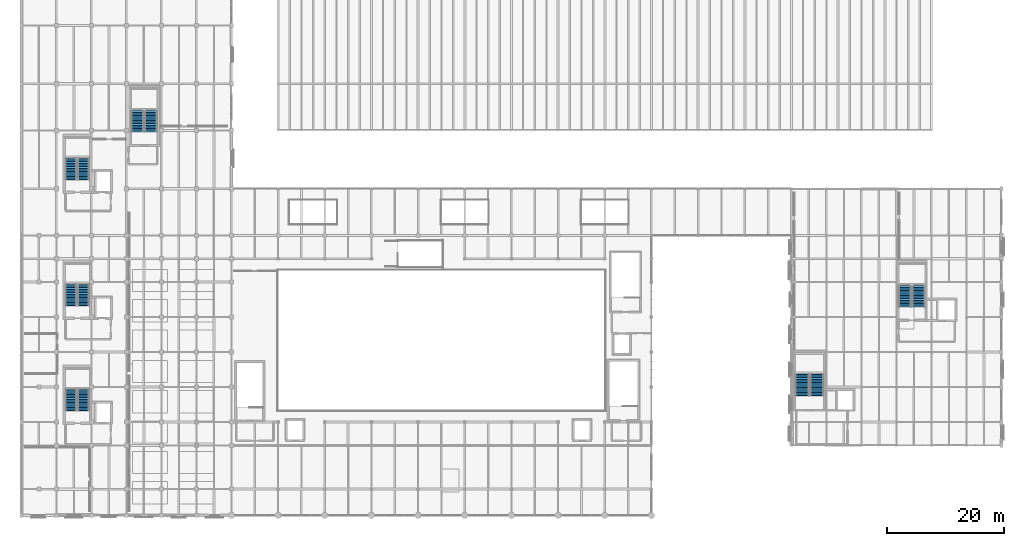
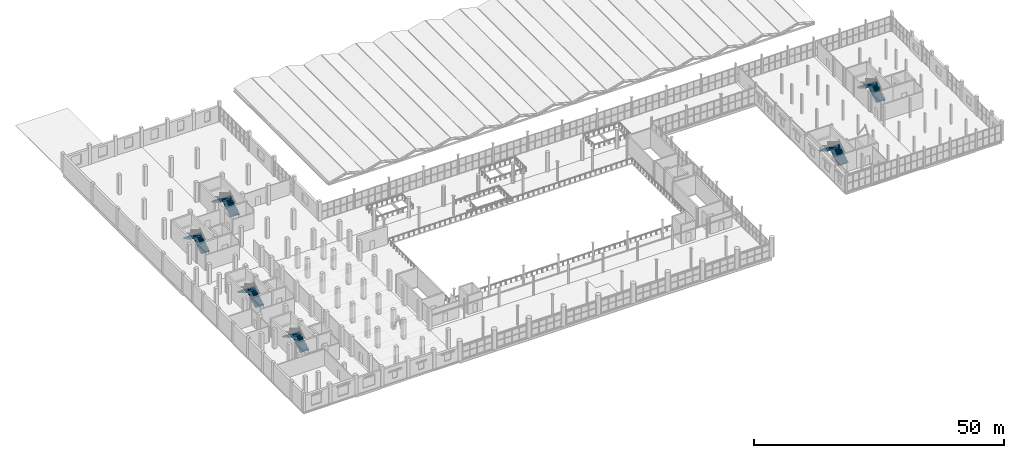
# One storey, part 104 of 114: 12 stair flights, 6 elements without a shape of their own.
"""IFC4 building model written with IfcOpenShell, lengths in metres."""

from ifc_helpers import new_model, si_unit, direction, frame, origin, place, context, subcontext, project, spatial, polyline, outline, extrude, material, type_object, element, aggregate, save


model = new_model("IFC4")

# Units and contexts
model_context = context("Model", 3, precision=1e-05, world=origin(), true_north=direction((0.0, 1.0)))
body_context = subcontext(model_context, "Body", "Model", "MODEL_VIEW")
ifc_project = project(units=[si_unit("LENGTHUNIT", "METRE"), si_unit("AREAUNIT", "SQUARE_METRE"), si_unit("VOLUMEUNIT", "CUBIC_METRE"), si_unit("PLANEANGLEUNIT", "RADIAN"), si_unit("MASSUNIT", "GRAM", prefix="KILO")], contexts=[model_context])

# Site, building, storey
site_placement = place(None, origin())
site = spatial("IfcSite", under=ifc_project, at=site_placement, CompositionType="ELEMENT")
building_placement = place(site_placement, origin())
building = spatial("IfcBuilding", under=site, at=building_placement, Name="Verrall Gate Interchange", CompositionType="ELEMENT")
storey_placement = place(building_placement, frame((0.0, 0.0, 6.60009765625)))
storey = spatial("IfcBuildingStorey", under=building, at=storey_placement, Name="L02", CompositionType="ELEMENT", Elevation=6.60009765625)

# Stair, stair flights
ifc_material_1 = material(Name="Concrete CSA A23.1 40 MPa (Class N)", Category="concrete")
stair_type_1 = type_object("IfcStairType", Name="ST-T02 Straight-Flight Return Exit Stair W1950 H4800", PredefinedType="STRAIGHT_RUN_STAIR", material=ifc_material_1)
stair_1_placement = place(storey_placement, origin())
stair_1 = element("IfcStair", 1, at=stair_1_placement, inside=storey, type_object=stair_type_1, Name="L02 ST-01", PredefinedType="STRAIGHT_RUN_STAIR")
ifc_material_2 = material(Name="Concrete CSA A23.1 40 MPa (Class N)", Category="concrete")
stair_flight_type_1 = type_object("IfcStairFlightType", Name="SF-T02 Concrete Stair Flight W1950 R171 N28", PredefinedType="STRAIGHT", material=ifc_material_2)
stair_flight_1_placement = place(storey_placement, frame((10.675048828125, 17.949951171875, 0.0), z_axis=(0.0, 0.0, 1.0), x_axis=(0.0, 1.0, 0.0)))
stair_flight_1 = element("IfcStairFlight", 2, at=stair_flight_1_placement, type_object=stair_flight_type_1, Name="ST-01 flight 1", NumberOfRisers=14, NumberOfTreads=13, PredefinedType="STRAIGHT", RiserHeight=0.171428571, TreadLength=0.28, context=body_context, shape_type="SweptSolid", body=[
    extrude(outline(polyline([(-0.034912109375, -0.02001953125), (-0.034912109375, 0.0), (0.0, 0.0), (0.0, 0.17138671875), (0.280029296875, 0.17138671875), (0.280029296875, 0.3427734375), (0.56005859375, 0.3427734375), (0.56005859375, 0.514404296875), (0.840087890625, 0.514404296875), (0.840087890625, 0.685791015625), (1.1201171875, 0.685791015625), (1.1201171875, 0.857177734375), (1.39990234375, 0.857177734375), (1.39990234375, 1.028564453125), (1.679931640625, 1.028564453125), (1.679931640625, 1.199951171875), (1.9599609375, 1.199951171875), (1.9599609375, 1.371337890625), (2.239990234375, 1.371337890625), (2.239990234375, 1.54296875), (2.52001953125, 1.54296875), (2.52001953125, 1.71435546875), (2.800048828125, 1.71435546875), (2.800048828125, 1.8857421875), (3.080078125, 1.8857421875), (3.080078125, 2.05712890625), (3.360107421875, 2.05712890625), (3.360107421875, 2.228515625), (3.639892578125, 2.228515625), (3.639892578125, 2.39990234375), (3.675048828125, 2.39990234375), (3.675048828125, 1.994140625), (0.350341796875, -0.02001953125), (-0.034912109375, -0.02001953125)])), frame((0.0, 0.97509765625, 0.0), z_axis=(0.0, -1.0, 0.0), x_axis=(1.0, 0.0, 0.0)), (0.0, 0.0, 1.0), 1.949951171875),
])
stair_flight_2_placement = place(storey_placement, frame((8.52490234375, 21.590087890625, 2.39990234375), z_axis=(0.0, 0.0, 1.0), x_axis=(0.0, -1.0, 0.0)))
stair_flight_2 = element("IfcStairFlight", 3, at=stair_flight_2_placement, type_object=stair_flight_type_1, Name="ST-01 flight 2", NumberOfRisers=14, NumberOfTreads=13, PredefinedType="STRAIGHT", RiserHeight=0.171428571, TreadLength=0.28, context=body_context, shape_type="SweptSolid", body=[
    extrude(outline(polyline([(-0.034912109375, -0.02001953125), (-0.034912109375, 0.0), (0.0, 0.0), (0.0, 0.17138671875), (0.280029296875, 0.17138671875), (0.280029296875, 0.3427734375), (0.56005859375, 0.3427734375), (0.56005859375, 0.514404296875), (0.840087890625, 0.514404296875), (0.840087890625, 0.685791015625), (1.1201171875, 0.685791015625), (1.1201171875, 0.857177734375), (1.39990234375, 0.857177734375), (1.39990234375, 1.028564453125), (1.679931640625, 1.028564453125), (1.679931640625, 1.199951171875), (1.9599609375, 1.199951171875), (1.9599609375, 1.371337890625), (2.239990234375, 1.371337890625), (2.239990234375, 1.54296875), (2.52001953125, 1.54296875), (2.52001953125, 1.71435546875), (2.800048828125, 1.71435546875), (2.800048828125, 1.8857421875), (3.080078125, 1.8857421875), (3.080078125, 2.05712890625), (3.360107421875, 2.05712890625), (3.360107421875, 2.228515625), (3.639892578125, 2.228515625), (3.639892578125, 2.39990234375), (3.675048828125, 2.39990234375), (3.675048828125, 1.994140625), (0.350341796875, -0.02001953125), (-0.034912109375, -0.02001953125)])), frame((0.0, 0.97509765625, 0.0), z_axis=(0.0, -1.0, 0.0), x_axis=(1.0, 0.0, 0.0)), (0.0, 0.0, 1.0), 1.949951171875),
])
aggregate(stair_1, [stair_flight_1, stair_flight_2])

stair_2_placement = place(storey_placement, origin())
stair_2 = element("IfcStair", 4, at=stair_2_placement, inside=storey, type_object=stair_type_1, Name="L02 ST-02", PredefinedType="STRAIGHT_RUN_STAIR")
stair_flight_3_placement = place(storey_placement, frame((10.675048828125, 35.949951171875, 0.0), z_axis=(0.0, 0.0, 1.0), x_axis=(0.0, 1.0, 0.0)))
stair_flight_3 = element("IfcStairFlight", 5, at=stair_flight_3_placement, type_object=stair_flight_type_1, Name="ST-02 flight 1", NumberOfRisers=14, NumberOfTreads=13, PredefinedType="STRAIGHT", RiserHeight=0.171428571, TreadLength=0.28, context=body_context, shape_type="SweptSolid", body=[
    extrude(outline(polyline([(-0.034912109375, -0.02001953125), (-0.034912109375, 0.0), (0.0, 0.0), (0.0, 0.17138671875), (0.280029296875, 0.17138671875), (0.280029296875, 0.3427734375), (0.56005859375, 0.3427734375), (0.56005859375, 0.514404296875), (0.840087890625, 0.514404296875), (0.840087890625, 0.685791015625), (1.1201171875, 0.685791015625), (1.1201171875, 0.857177734375), (1.39990234375, 0.857177734375), (1.39990234375, 1.028564453125), (1.679931640625, 1.028564453125), (1.679931640625, 1.199951171875), (1.9599609375, 1.199951171875), (1.9599609375, 1.371337890625), (2.239990234375, 1.371337890625), (2.239990234375, 1.54296875), (2.52001953125, 1.54296875), (2.52001953125, 1.71435546875), (2.800048828125, 1.71435546875), (2.800048828125, 1.8857421875), (3.080078125, 1.8857421875), (3.080078125, 2.05712890625), (3.360107421875, 2.05712890625), (3.360107421875, 2.228515625), (3.639892578125, 2.228515625), (3.639892578125, 2.39990234375), (3.675048828125, 2.39990234375), (3.675048828125, 1.994140625), (0.350341796875, -0.02001953125), (-0.034912109375, -0.02001953125)])), frame((0.0, 0.97509765625, 0.0), z_axis=(0.0, -1.0, 0.0), x_axis=(1.0, 0.0, 0.0)), (0.0, 0.0, 1.0), 1.949951171875),
])
stair_flight_4_placement = place(storey_placement, frame((8.52490234375, 39.590087890625, 2.39990234375), z_axis=(0.0, 0.0, 1.0), x_axis=(0.0, -1.0, 0.0)))
stair_flight_4 = element("IfcStairFlight", 6, at=stair_flight_4_placement, type_object=stair_flight_type_1, Name="ST-02 flight 2", NumberOfRisers=14, NumberOfTreads=13, PredefinedType="STRAIGHT", RiserHeight=0.171428571, TreadLength=0.28, context=body_context, shape_type="SweptSolid", body=[
    extrude(outline(polyline([(-0.034912109375, -0.02001953125), (-0.034912109375, 0.0), (0.0, 0.0), (0.0, 0.17138671875), (0.280029296875, 0.17138671875), (0.280029296875, 0.3427734375), (0.56005859375, 0.3427734375), (0.56005859375, 0.514404296875), (0.840087890625, 0.514404296875), (0.840087890625, 0.685791015625), (1.1201171875, 0.685791015625), (1.1201171875, 0.857177734375), (1.39990234375, 0.857177734375), (1.39990234375, 1.028564453125), (1.679931640625, 1.028564453125), (1.679931640625, 1.199951171875), (1.9599609375, 1.199951171875), (1.9599609375, 1.371337890625), (2.239990234375, 1.371337890625), (2.239990234375, 1.54296875), (2.52001953125, 1.54296875), (2.52001953125, 1.71435546875), (2.800048828125, 1.71435546875), (2.800048828125, 1.8857421875), (3.080078125, 1.8857421875), (3.080078125, 2.05712890625), (3.360107421875, 2.05712890625), (3.360107421875, 2.228515625), (3.639892578125, 2.228515625), (3.639892578125, 2.39990234375), (3.675048828125, 2.39990234375), (3.675048828125, 1.994140625), (0.350341796875, -0.02001953125), (-0.034912109375, -0.02001953125)])), frame((0.0, 0.97509765625, 0.0), z_axis=(0.0, -1.0, 0.0), x_axis=(1.0, 0.0, 0.0)), (0.0, 0.0, 1.0), 1.949951171875),
])
aggregate(stair_2, [stair_flight_3, stair_flight_4])

stair_3_placement = place(storey_placement, origin())
stair_3 = element("IfcStair", 7, at=stair_3_placement, inside=storey, type_object=stair_type_1, Name="L02 ST-03", PredefinedType="STRAIGHT_RUN_STAIR")
stair_flight_5_placement = place(storey_placement, frame((10.675048828125, 57.550048828125, 0.0), z_axis=(0.0, 0.0, 1.0), x_axis=(0.0, 1.0, 0.0)))
stair_flight_5 = element("IfcStairFlight", 8, at=stair_flight_5_placement, type_object=stair_flight_type_1, Name="ST-03 flight 1", NumberOfRisers=14, NumberOfTreads=13, PredefinedType="STRAIGHT", RiserHeight=0.171428571, TreadLength=0.28, context=body_context, shape_type="SweptSolid", body=[
    extrude(outline(polyline([(-0.034912109375, -0.02001953125), (-0.034912109375, 0.0), (0.0, 0.0), (0.0, 0.17138671875), (0.280029296875, 0.17138671875), (0.280029296875, 0.3427734375), (0.56005859375, 0.3427734375), (0.56005859375, 0.514404296875), (0.840087890625, 0.514404296875), (0.840087890625, 0.685791015625), (1.1201171875, 0.685791015625), (1.1201171875, 0.857177734375), (1.39990234375, 0.857177734375), (1.39990234375, 1.028564453125), (1.679931640625, 1.028564453125), (1.679931640625, 1.199951171875), (1.9599609375, 1.199951171875), (1.9599609375, 1.371337890625), (2.239990234375, 1.371337890625), (2.239990234375, 1.54296875), (2.52001953125, 1.54296875), (2.52001953125, 1.71435546875), (2.800048828125, 1.71435546875), (2.800048828125, 1.8857421875), (3.080078125, 1.8857421875), (3.080078125, 2.05712890625), (3.360107421875, 2.05712890625), (3.360107421875, 2.228515625), (3.639892578125, 2.228515625), (3.639892578125, 2.39990234375), (3.675048828125, 2.39990234375), (3.675048828125, 1.994140625), (0.350341796875, -0.02001953125), (-0.034912109375, -0.02001953125)])), frame((0.0, 0.97509765625, 0.0), z_axis=(0.0, -1.0, 0.0), x_axis=(1.0, 0.0, 0.0)), (0.0, 0.0, 1.0), 1.949951171875),
])
stair_flight_6_placement = place(storey_placement, frame((8.52490234375, 61.18994140625, 2.39990234375), z_axis=(0.0, 0.0, 1.0), x_axis=(0.0, -1.0, 0.0)))
stair_flight_6 = element("IfcStairFlight", 9, at=stair_flight_6_placement, type_object=stair_flight_type_1, Name="ST-03 flight 2", NumberOfRisers=14, NumberOfTreads=13, PredefinedType="STRAIGHT", RiserHeight=0.171428571, TreadLength=0.28, context=body_context, shape_type="SweptSolid", body=[
    extrude(outline(polyline([(-0.034912109375, -0.02001953125), (-0.034912109375, 0.0), (0.0, 0.0), (0.0, 0.17138671875), (0.280029296875, 0.17138671875), (0.280029296875, 0.3427734375), (0.56005859375, 0.3427734375), (0.56005859375, 0.514404296875), (0.840087890625, 0.514404296875), (0.840087890625, 0.685791015625), (1.1201171875, 0.685791015625), (1.1201171875, 0.857177734375), (1.39990234375, 0.857177734375), (1.39990234375, 1.028564453125), (1.679931640625, 1.028564453125), (1.679931640625, 1.199951171875), (1.9599609375, 1.199951171875), (1.9599609375, 1.371337890625), (2.239990234375, 1.371337890625), (2.239990234375, 1.54296875), (2.52001953125, 1.54296875), (2.52001953125, 1.71435546875), (2.800048828125, 1.71435546875), (2.800048828125, 1.8857421875), (3.080078125, 1.8857421875), (3.080078125, 2.05712890625), (3.360107421875, 2.05712890625), (3.360107421875, 2.228515625), (3.639892578125, 2.228515625), (3.639892578125, 2.39990234375), (3.675048828125, 2.39990234375), (3.675048828125, 1.994140625), (0.350341796875, -0.02001953125), (-0.034912109375, -0.02001953125)])), frame((0.0, 0.97509765625, 0.0), z_axis=(0.0, -1.0, 0.0), x_axis=(1.0, 0.0, 0.0)), (0.0, 0.0, 1.0), 1.949951171875),
])
aggregate(stair_3, [stair_flight_5, stair_flight_6])

ifc_material_3 = material(Name="Concrete CSA A23.1 40 MPa (Class N)", Category="concrete")
stair_type_2 = type_object("IfcStairType", Name="ST-T08 Straight-Flight Return Exit Stair W2150 H4800", PredefinedType="STRAIGHT_RUN_STAIR", material=ifc_material_3)
stair_4_placement = place(storey_placement, origin())
stair_4 = element("IfcStair", 10, at=stair_4_placement, inside=storey, type_object=stair_type_2, Name="L02 ST-04", PredefinedType="STRAIGHT_RUN_STAIR")
ifc_material_4 = material(Name="Concrete CSA A23.1 40 MPa (Class N)", Category="concrete")
stair_flight_type_2 = type_object("IfcStairFlightType", Name="SF-T08 Concrete Stair Flight W2150 R171 N28", PredefinedType="STRAIGHT", material=ifc_material_4)
stair_flight_7_placement = place(storey_placement, frame((22.22509765625, 65.75, 0.0), z_axis=(0.0, 0.0, 1.0), x_axis=(0.0, 1.0, 0.0)))
stair_flight_7 = element("IfcStairFlight", 11, at=stair_flight_7_placement, type_object=stair_flight_type_2, Name="ST-04 flight 1", NumberOfRisers=14, NumberOfTreads=13, PredefinedType="STRAIGHT", RiserHeight=0.171428571, TreadLength=0.28, context=body_context, shape_type="SweptSolid", body=[
    extrude(outline(polyline([(-0.034912109375, -0.02001953125), (-0.034912109375, 0.0), (0.0, 0.0), (0.0, 0.17138671875), (0.280029296875, 0.17138671875), (0.280029296875, 0.3427734375), (0.56005859375, 0.3427734375), (0.56005859375, 0.514404296875), (0.840087890625, 0.514404296875), (0.840087890625, 0.685791015625), (1.1201171875, 0.685791015625), (1.1201171875, 0.857177734375), (1.39990234375, 0.857177734375), (1.39990234375, 1.028564453125), (1.679931640625, 1.028564453125), (1.679931640625, 1.199951171875), (1.9599609375, 1.199951171875), (1.9599609375, 1.371337890625), (2.239990234375, 1.371337890625), (2.239990234375, 1.54296875), (2.52001953125, 1.54296875), (2.52001953125, 1.71435546875), (2.800048828125, 1.71435546875), (2.800048828125, 1.8857421875), (3.080078125, 1.8857421875), (3.080078125, 2.05712890625), (3.360107421875, 2.05712890625), (3.360107421875, 2.228515625), (3.639892578125, 2.228515625), (3.639892578125, 2.39990234375), (3.675048828125, 2.39990234375), (3.675048828125, 1.994140625), (0.350341796875, -0.02001953125), (-0.034912109375, -0.02001953125)])), frame((0.0, 1.074951171875, 0.0), z_axis=(0.0, -1.0, 0.0), x_axis=(1.0, 0.0, 0.0)), (0.0, 0.0, 1.0), 2.14990234375),
])
stair_flight_8_placement = place(storey_placement, frame((19.875, 69.389892578125, 2.39990234375), z_axis=(0.0, 0.0, 1.0), x_axis=(0.0, -1.0, 0.0)))
stair_flight_8 = element("IfcStairFlight", 12, at=stair_flight_8_placement, type_object=stair_flight_type_2, Name="ST-04 flight 2", NumberOfRisers=14, NumberOfTreads=13, PredefinedType="STRAIGHT", RiserHeight=0.171428571, TreadLength=0.28, context=body_context, shape_type="SweptSolid", body=[
    extrude(outline(polyline([(-0.034912109375, -0.02001953125), (-0.034912109375, 0.0), (0.0, 0.0), (0.0, 0.17138671875), (0.280029296875, 0.17138671875), (0.280029296875, 0.3427734375), (0.56005859375, 0.3427734375), (0.56005859375, 0.514404296875), (0.840087890625, 0.514404296875), (0.840087890625, 0.685791015625), (1.1201171875, 0.685791015625), (1.1201171875, 0.857177734375), (1.39990234375, 0.857177734375), (1.39990234375, 1.028564453125), (1.679931640625, 1.028564453125), (1.679931640625, 1.199951171875), (1.9599609375, 1.199951171875), (1.9599609375, 1.371337890625), (2.239990234375, 1.371337890625), (2.239990234375, 1.54296875), (2.52001953125, 1.54296875), (2.52001953125, 1.71435546875), (2.800048828125, 1.71435546875), (2.800048828125, 1.8857421875), (3.080078125, 1.8857421875), (3.080078125, 2.05712890625), (3.360107421875, 2.05712890625), (3.360107421875, 2.228515625), (3.639892578125, 2.228515625), (3.639892578125, 2.39990234375), (3.675048828125, 2.39990234375), (3.675048828125, 1.994140625), (0.350341796875, -0.02001953125), (-0.034912109375, -0.02001953125)])), frame((0.0, 1.074951171875, 0.0), z_axis=(0.0, -1.0, 0.0), x_axis=(1.0, 0.0, 0.0)), (0.0, 0.0, 1.0), 2.14990234375),
])
aggregate(stair_4, [stair_flight_7, stair_flight_8])

stair_5_placement = place(storey_placement, origin())
stair_5 = element("IfcStair", 13, at=stair_5_placement, inside=storey, type_object=stair_type_2, Name="L02 ST-09", PredefinedType="STRAIGHT_RUN_STAIR")
stair_flight_9_placement = place(storey_placement, frame((153.824951171875, 35.75, 0.0), z_axis=(0.0, 0.0, 1.0), x_axis=(0.0, 1.0, 0.0)))
stair_flight_9 = element("IfcStairFlight", 14, at=stair_flight_9_placement, type_object=stair_flight_type_2, Name="ST-09 flight 1", NumberOfRisers=14, NumberOfTreads=13, PredefinedType="STRAIGHT", RiserHeight=0.171428571, TreadLength=0.28, context=body_context, shape_type="SweptSolid", body=[
    extrude(outline(polyline([(-0.034912109375, -0.02001953125), (-0.034912109375, 0.0), (0.0, 0.0), (0.0, 0.17138671875), (0.280029296875, 0.17138671875), (0.280029296875, 0.3427734375), (0.56005859375, 0.3427734375), (0.56005859375, 0.514404296875), (0.840087890625, 0.514404296875), (0.840087890625, 0.685791015625), (1.1201171875, 0.685791015625), (1.1201171875, 0.857177734375), (1.39990234375, 0.857177734375), (1.39990234375, 1.028564453125), (1.679931640625, 1.028564453125), (1.679931640625, 1.199951171875), (1.9599609375, 1.199951171875), (1.9599609375, 1.371337890625), (2.239990234375, 1.371337890625), (2.239990234375, 1.54296875), (2.52001953125, 1.54296875), (2.52001953125, 1.71435546875), (2.800048828125, 1.71435546875), (2.800048828125, 1.8857421875), (3.080078125, 1.8857421875), (3.080078125, 2.05712890625), (3.360107421875, 2.05712890625), (3.360107421875, 2.228515625), (3.639892578125, 2.228515625), (3.639892578125, 2.39990234375), (3.675048828125, 2.39990234375), (3.675048828125, 1.994140625), (0.350341796875, -0.02001953125), (-0.034912109375, -0.02001953125)])), frame((0.0, 1.074951171875, 0.0), z_axis=(0.0, -1.0, 0.0), x_axis=(1.0, 0.0, 0.0)), (0.0, 0.0, 1.0), 2.14990234375),
])
stair_flight_10_placement = place(storey_placement, frame((151.47509765625, 39.389892578125, 2.39990234375), z_axis=(0.0, 0.0, 1.0), x_axis=(0.0, -1.0, 0.0)))
stair_flight_10 = element("IfcStairFlight", 15, at=stair_flight_10_placement, type_object=stair_flight_type_2, Name="ST-09 flight 2", NumberOfRisers=14, NumberOfTreads=13, PredefinedType="STRAIGHT", RiserHeight=0.171428571, TreadLength=0.28, context=body_context, shape_type="SweptSolid", body=[
    extrude(outline(polyline([(-0.034912109375, -0.02001953125), (-0.034912109375, 0.0), (0.0, 0.0), (0.0, 0.17138671875), (0.280029296875, 0.17138671875), (0.280029296875, 0.3427734375), (0.56005859375, 0.3427734375), (0.56005859375, 0.514404296875), (0.840087890625, 0.514404296875), (0.840087890625, 0.685791015625), (1.1201171875, 0.685791015625), (1.1201171875, 0.857177734375), (1.39990234375, 0.857177734375), (1.39990234375, 1.028564453125), (1.679931640625, 1.028564453125), (1.679931640625, 1.199951171875), (1.9599609375, 1.199951171875), (1.9599609375, 1.371337890625), (2.239990234375, 1.371337890625), (2.239990234375, 1.54296875), (2.52001953125, 1.54296875), (2.52001953125, 1.71435546875), (2.800048828125, 1.71435546875), (2.800048828125, 1.8857421875), (3.080078125, 1.8857421875), (3.080078125, 2.05712890625), (3.360107421875, 2.05712890625), (3.360107421875, 2.228515625), (3.639892578125, 2.228515625), (3.639892578125, 2.39990234375), (3.675048828125, 2.39990234375), (3.675048828125, 1.994140625), (0.350341796875, -0.02001953125), (-0.034912109375, -0.02001953125)])), frame((0.0, 1.074951171875, 0.0), z_axis=(0.0, -1.0, 0.0), x_axis=(1.0, 0.0, 0.0)), (0.0, 0.0, 1.0), 2.14990234375),
])
aggregate(stair_5, [stair_flight_9, stair_flight_10])

ifc_material_5 = material(Name="Concrete CSA A23.1 40 MPa (Class N)", Category="concrete")
stair_type_3 = type_object("IfcStairType", Name="ST-T15 Straight-Flight Return Exit Stair W2330 H4800", PredefinedType="STRAIGHT_RUN_STAIR", material=ifc_material_5)
stair_6_placement = place(storey_placement, origin())
stair_6 = element("IfcStair", 16, at=stair_6_placement, inside=storey, type_object=stair_type_3, Name="L02 ST-08", PredefinedType="STRAIGHT_RUN_STAIR")
ifc_material_6 = material(Name="Concrete CSA A23.1 40 MPa (Class N)", Category="concrete")
stair_flight_type_3 = type_object("IfcStairFlightType", Name="SF-T15 Concrete Stair Flight W2330 R171 N28", PredefinedType="STRAIGHT", material=ifc_material_6)
stair_flight_11_placement = place(storey_placement, frame((136.375, 20.530029296875, 0.0), z_axis=(0.0, 0.0, 1.0), x_axis=(0.0, 1.0, 0.0)))
stair_flight_11 = element("IfcStairFlight", 17, at=stair_flight_11_placement, type_object=stair_flight_type_3, Name="ST-08 flight 1", NumberOfRisers=14, NumberOfTreads=13, PredefinedType="STRAIGHT", RiserHeight=0.171428571, TreadLength=0.28, context=body_context, shape_type="SweptSolid", body=[
    extrude(outline(polyline([(-0.034912109375, -0.02001953125), (-0.034912109375, 0.0), (0.0, 0.0), (0.0, 0.17138671875), (0.280029296875, 0.17138671875), (0.280029296875, 0.3427734375), (0.56005859375, 0.3427734375), (0.56005859375, 0.514404296875), (0.840087890625, 0.514404296875), (0.840087890625, 0.685791015625), (1.1201171875, 0.685791015625), (1.1201171875, 0.857177734375), (1.39990234375, 0.857177734375), (1.39990234375, 1.028564453125), (1.679931640625, 1.028564453125), (1.679931640625, 1.199951171875), (1.9599609375, 1.199951171875), (1.9599609375, 1.371337890625), (2.239990234375, 1.371337890625), (2.239990234375, 1.54296875), (2.52001953125, 1.54296875), (2.52001953125, 1.71435546875), (2.800048828125, 1.71435546875), (2.800048828125, 1.8857421875), (3.080078125, 1.8857421875), (3.080078125, 2.05712890625), (3.360107421875, 2.05712890625), (3.360107421875, 2.228515625), (3.639892578125, 2.228515625), (3.639892578125, 2.39990234375), (3.675048828125, 2.39990234375), (3.675048828125, 1.994140625), (0.350341796875, -0.02001953125), (-0.034912109375, -0.02001953125)])), frame((0.0, 1.1650390625, 0.0), z_axis=(0.0, -1.0, 0.0), x_axis=(1.0, 0.0, 0.0)), (0.0, 0.0, 1.0), 2.330078125),
])
stair_flight_12_placement = place(storey_placement, frame((133.844970703125, 24.169921875, 2.39990234375), z_axis=(0.0, 0.0, 1.0), x_axis=(0.0, -1.0, 0.0)))
stair_flight_12 = element("IfcStairFlight", 18, at=stair_flight_12_placement, type_object=stair_flight_type_3, Name="ST-08 flight 2", NumberOfRisers=14, NumberOfTreads=13, PredefinedType="STRAIGHT", RiserHeight=0.171428571, TreadLength=0.28, context=body_context, shape_type="SweptSolid", body=[
    extrude(outline(polyline([(-0.034912109375, -0.02001953125), (-0.034912109375, 0.0), (0.0, 0.0), (0.0, 0.17138671875), (0.280029296875, 0.17138671875), (0.280029296875, 0.3427734375), (0.56005859375, 0.3427734375), (0.56005859375, 0.514404296875), (0.840087890625, 0.514404296875), (0.840087890625, 0.685791015625), (1.1201171875, 0.685791015625), (1.1201171875, 0.857177734375), (1.39990234375, 0.857177734375), (1.39990234375, 1.028564453125), (1.679931640625, 1.028564453125), (1.679931640625, 1.199951171875), (1.9599609375, 1.199951171875), (1.9599609375, 1.371337890625), (2.239990234375, 1.371337890625), (2.239990234375, 1.54296875), (2.52001953125, 1.54296875), (2.52001953125, 1.71435546875), (2.800048828125, 1.71435546875), (2.800048828125, 1.8857421875), (3.080078125, 1.8857421875), (3.080078125, 2.05712890625), (3.360107421875, 2.05712890625), (3.360107421875, 2.228515625), (3.639892578125, 2.228515625), (3.639892578125, 2.39990234375), (3.675048828125, 2.39990234375), (3.675048828125, 1.994140625), (0.350341796875, -0.02001953125), (-0.034912109375, -0.02001953125)])), frame((0.0, 1.1650390625, 0.0), z_axis=(0.0, -1.0, 0.0), x_axis=(1.0, 0.0, 0.0)), (0.0, 0.0, 1.0), 2.330078125),
])
aggregate(stair_6, [stair_flight_11, stair_flight_12])

save(model, "model.ifc")
